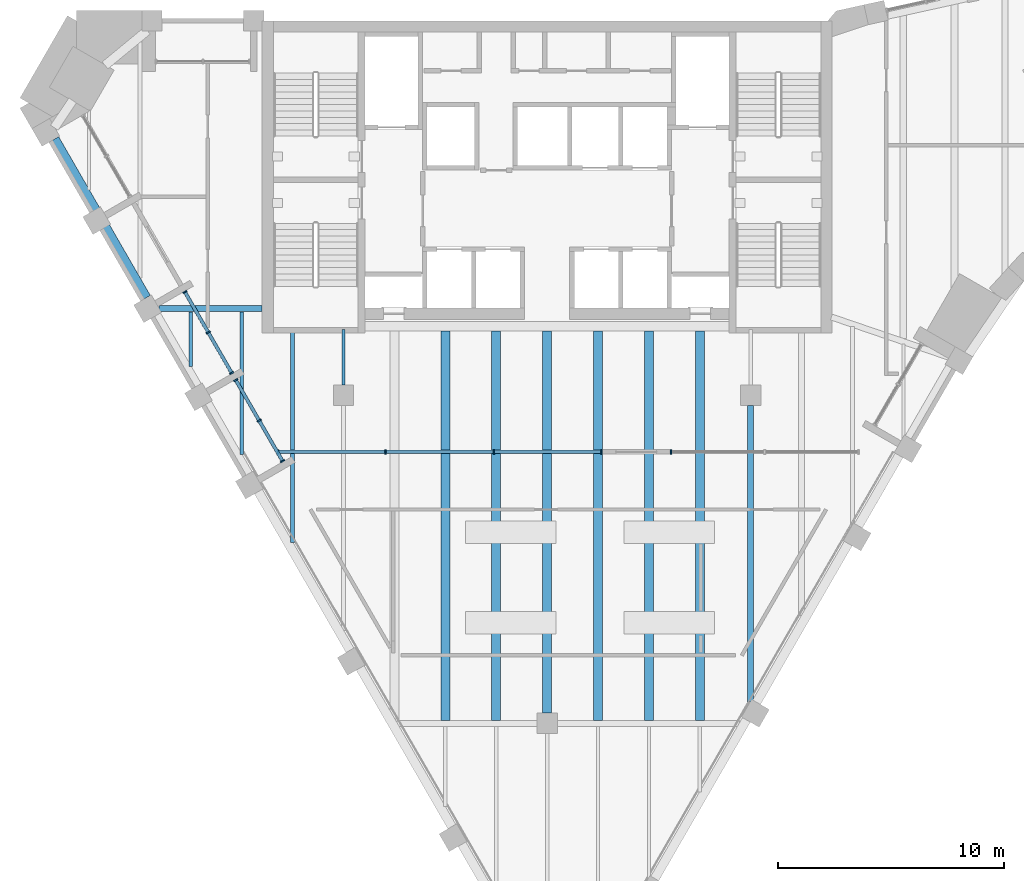
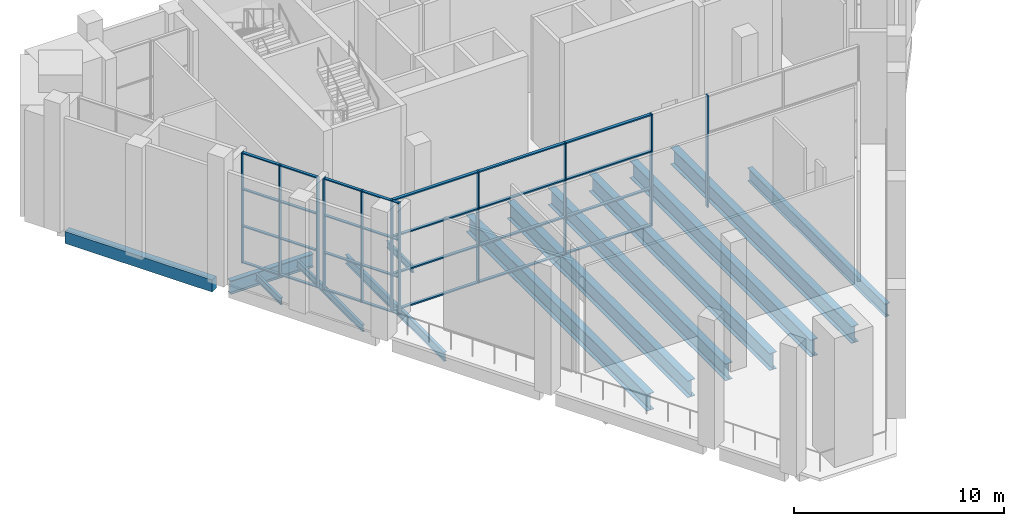
# One storey, part 2 of 14: 39 members, 13 beams, 4 elements without a shape of their own.
"""IFC4 building model written with IfcOpenShell, lengths in metres."""

from ifc_helpers import new_model, si_unit, direction, frame, origin, origin_2d, place, context, subcontext, project, spatial, rectangle, i_section, extrude, material, material_profile, profile_set, type_object, element, aggregate, save


model = new_model("IFC4")

# Units and contexts
model_context = context("Model", 3, precision=1e-05, world=origin(), true_north=direction((0.0, 1.0)))
body_context = subcontext(model_context, "Body", "Model", "MODEL_VIEW")
ifc_project = project(units=[si_unit("LENGTHUNIT", "METRE"), si_unit("AREAUNIT", "SQUARE_METRE"), si_unit("VOLUMEUNIT", "CUBIC_METRE"), si_unit("PLANEANGLEUNIT", "RADIAN"), si_unit("MASSUNIT", "GRAM", prefix="KILO")], contexts=[model_context])

# Site, building, storey
site_placement = place(None, origin())
site = spatial("IfcSite", under=ifc_project, at=site_placement, CompositionType="ELEMENT")
building_placement = place(site_placement, origin())
building = spatial("IfcBuilding", under=site, at=building_placement, Name="Calabash Gate Tower", CompositionType="ELEMENT")
storey_placement = place(building_placement, frame((0.0, 0.0, 295.0)))
storey = spatial("IfcBuildingStorey", under=building, at=storey_placement, Name="L71", CompositionType="ELEMENT", Elevation=295.0)

# Beams
ifc_material_1 = material(Name="Concrete C50/60", Category="concrete")
ifc_material_profile_1 = material_profile(ifc_material_1, rectangle(XDim=0.39990234375, YDim=0.699951171875, at=origin_2d()))
ifc_profile_set_1 = profile_set([ifc_material_profile_1], Name="Concrete C50/60")
beam_type_1 = type_object("IfcBeamType", Name="Edge beam RC 400x700 Concrete C50/60", PredefinedType="BEAM", material=ifc_profile_set_1)
beam_1_placement = place(storey_placement, frame((-21.763916015625, 13.830078125, -0.52001953125), z_axis=(0.500016430238, -0.866015917575, 0.0), x_axis=(0.866015917575, 0.500016430238, 0.0)))
element("IfcBeam", 1, at=beam_1_placement, inside=storey, type_object=beam_type_1, Name="Edge beam L71 18", PredefinedType="BEAM", context=body_context, shape_type="SweptSolid", body=[
    extrude(rectangle(XDim=0.39990234375, YDim=0.699951171875, at=origin_2d()), origin(), (0.0, 0.0, 1.0), 8.099365234375),
])
ifc_material_2 = material(Name="Steel ASTM A992 Gr50", Category="steel")
ifc_material_profile_2 = material_profile(ifc_material_2, i_section(OverallWidth=0.1396484375, OverallDepth=0.398681640625, WebThickness=0.00634765625, FlangeThickness=0.0087890625, FilletRadius=0.01025390625, at=origin_2d()))
ifc_profile_set_2 = profile_set([ifc_material_profile_2], Name="Steel ASTM A992 Gr50")
beam_type_2 = type_object("IfcBeamType", Name="Floor beam W16x26 ASTM A992 Gr50", PredefinedType="BEAM", material=ifc_profile_set_2)
beam_2_placement = place(storey_placement, frame((-15.75, 3.781982421875, -0.368896484375), z_axis=(0.0, 1.0, 0.0), x_axis=(-1.0, 0.0, 0.0)))
element("IfcBeam", 2, at=beam_2_placement, inside=storey, type_object=beam_type_2, Name="Floor beam L71 3", PredefinedType="BEAM", context=body_context, shape_type="SweptSolid", body=[
    extrude(i_section(OverallWidth=0.1396484375, OverallDepth=0.398681640625, WebThickness=0.00634765625, FlangeThickness=0.0087890625, FilletRadius=0.01025390625, at=origin_2d()), origin(), (0.0, 0.0, 1.0), 2.409912109375),
])
beam_3_placement = place(storey_placement, frame((-13.5, -0.113037109375, -0.368896484375), z_axis=(0.0, 1.0, 0.0), x_axis=(-1.0, 0.0, 0.0)))
element("IfcBeam", 3, at=beam_3_placement, inside=storey, type_object=beam_type_2, Name="Floor beam L71 4", PredefinedType="BEAM", context=body_context, shape_type="SweptSolid", body=[
    extrude(i_section(OverallWidth=0.1396484375, OverallDepth=0.398681640625, WebThickness=0.00634765625, FlangeThickness=0.0087890625, FilletRadius=0.01025390625, at=origin_2d()), origin(), (0.0, 0.0, 1.0), 6.304931640625),
])
beam_4_placement = place(storey_placement, frame((-9.0, 2.949951171875, -0.368896484375), z_axis=(0.0, 1.0, 0.0), x_axis=(-1.0, 0.0, 0.0)))
element("IfcBeam", 4, at=beam_4_placement, inside=storey, type_object=beam_type_2, Name="Floor beam L71 7", PredefinedType="BEAM", context=body_context, shape_type="SweptSolid", body=[
    extrude(i_section(OverallWidth=0.1396484375, OverallDepth=0.398681640625, WebThickness=0.00634765625, FlangeThickness=0.0087890625, FilletRadius=0.01025390625, at=origin_2d()), origin(), (0.0, 0.0, 1.0), 2.453125),
])
ifc_material_3 = material(Name="Steel ASTM A992 Gr50", Category="steel")
ifc_material_profile_3 = material_profile(ifc_material_3, i_section(OverallWidth=0.166015625, OverallDepth=0.5283203125, WebThickness=0.009765625, FlangeThickness=0.013671875, FilletRadius=0.0126953125, at=origin_2d()))
ifc_profile_set_3 = profile_set([ifc_material_profile_3], Name="Steel ASTM A992 Gr50")
beam_type_3 = type_object("IfcBeamType", Name="Floor beam W21x50 ASTM A992 Gr50", PredefinedType="BEAM", material=ifc_profile_set_3)
beam_5_placement = place(storey_placement, frame((-11.25, -4.011962890625, -0.43408203125), z_axis=(0.0, 1.0, 0.0), x_axis=(-1.0, 0.0, 0.0)))
element("IfcBeam", 5, at=beam_5_placement, inside=storey, type_object=beam_type_3, Name="Floor beam L71 5", PredefinedType="BEAM", context=body_context, shape_type="SweptSolid", body=[
    extrude(i_section(OverallWidth=0.166015625, OverallDepth=0.5283203125, WebThickness=0.009765625, FlangeThickness=0.013671875, FilletRadius=0.0126953125, at=origin_2d()), origin(), (0.0, 0.0, 1.0), 9.4150390625),
])
ifc_material_4 = material(Name="Steel ASTM A992 Gr50", Category="steel")
ifc_material_profile_4 = material_profile(ifc_material_4, i_section(OverallWidth=0.2666015625, OverallDepth=0.7568359375, WebThickness=0.013916015625, FlangeThickness=0.019287109375, FilletRadius=0.0166015625, at=origin_2d()))
ifc_profile_set_4 = profile_set([ifc_material_profile_4], Name="Steel ASTM A992 Gr50")
beam_type_4 = type_object("IfcBeamType", Name="Floor beam W30x108 ASTM A992 Gr50", PredefinedType="BEAM", material=ifc_profile_set_4)
beam_6_placement = place(storey_placement, frame((9.0, -11.051025390625, -0.548095703125), z_axis=(0.0, 1.0, 0.0), x_axis=(-1.0, 0.0, 0.0)))
element("IfcBeam", 6, at=beam_6_placement, inside=storey, type_object=beam_type_4, Name="Floor beam L71 21", PredefinedType="BEAM", context=body_context, shape_type="SweptSolid", body=[
    extrude(i_section(OverallWidth=0.2666015625, OverallDepth=0.7568359375, WebThickness=0.013916015625, FlangeThickness=0.019287109375, FilletRadius=0.0166015625, at=origin_2d()), origin(), (0.0, 0.0, 1.0), 13.10107421875),
])
ifc_material_5 = material(Name="Steel ASTM A992 Gr50", Category="steel")
ifc_material_profile_5 = material_profile(ifc_material_5, i_section(OverallWidth=0.4013671875, OverallDepth=0.990478515625, WebThickness=0.0166015625, FlangeThickness=0.031005859375, FilletRadius=0.030029296875, at=origin_2d()))
ifc_profile_set_5 = profile_set([ifc_material_profile_5], Name="Steel ASTM A992 Gr50")
beam_type_5 = type_object("IfcBeamType", Name="Floor beam W40x215 ASTM A992 Gr50", PredefinedType="BEAM", material=ifc_profile_set_5)
for number, where, z_axis, x_axis, name in (
    (7, (-4.5, -11.866943359375, -0.6630859375), (0.0, 1.0, 0.0), (-1.0, 0.0, 0.0), "Floor beam L71 10"),
    (8, (-2.25, -11.866943359375, -0.6630859375), (0.0, 1.0, 0.0), (-1.0, 0.0, 0.0), "Floor beam L71 12"),
):
    element("IfcBeam", number, at=place(storey_placement, frame(where, z_axis=z_axis, x_axis=x_axis)), inside=storey, type_object=beam_type_5, Name=name, PredefinedType="BEAM", context=body_context, shape_type="SweptSolid", body=[
        extrude(i_section(OverallWidth=0.4013671875, OverallDepth=0.990478515625, WebThickness=0.0166015625, FlangeThickness=0.031005859375, FilletRadius=0.030029296875, at=origin_2d()), origin(), (0.0, 0.0, 1.0), 17.218994140625),
    ])
beam_7_placement = place(storey_placement, frame((0.0, -11.550048828125, -0.6630859375), z_axis=(0.0, 1.0, 0.0), x_axis=(-1.0, 0.0, 0.0)))
element("IfcBeam", 9, at=beam_7_placement, inside=storey, type_object=beam_type_5, Name="Floor beam L71 14", PredefinedType="BEAM", context=body_context, shape_type="SweptSolid", body=[
    extrude(i_section(OverallWidth=0.4013671875, OverallDepth=0.990478515625, WebThickness=0.0166015625, FlangeThickness=0.031005859375, FilletRadius=0.030029296875, at=origin_2d()), origin(), (0.0, 0.0, 1.0), 16.902099609375),
])
for number, where, z_axis, x_axis, name in (
    (10, (2.25, -11.866943359375, -0.6630859375), (0.0, 1.0, 0.0), (-1.0, 0.0, 0.0), "Floor beam L71 16"),
    (11, (4.5, -11.866943359375, -0.6630859375), (0.0, 1.0, 0.0), (-1.0, 0.0, 0.0), "Floor beam L71 18"),
    (12, (6.75, -11.866943359375, -0.6630859375), (0.0, 1.0, 0.0), (-1.0, 0.0, 0.0), "Floor beam L71 20"),
):
    element("IfcBeam", number, at=place(storey_placement, frame(where, z_axis=z_axis, x_axis=x_axis)), inside=storey, type_object=beam_type_5, Name=name, PredefinedType="BEAM", context=body_context, shape_type="SweptSolid", body=[
        extrude(i_section(OverallWidth=0.4013671875, OverallDepth=0.990478515625, WebThickness=0.0166015625, FlangeThickness=0.031005859375, FilletRadius=0.030029296875, at=origin_2d()), origin(), (0.0, 0.0, 1.0), 17.218994140625),
    ])
ifc_material_6 = material(Name="Steel ASTM A992 Gr50", Category="steel")
ifc_material_profile_6 = material_profile(ifc_material_6, i_section(OverallWidth=0.2666015625, OverallDepth=0.77978515625, WebThickness=0.0166015625, FlangeThickness=0.030029296875, FilletRadius=0.0166015625, at=origin_2d()))
ifc_profile_set_6 = profile_set([ifc_material_profile_6], Name="Steel ASTM A992 Gr50")
beam_type_6 = type_object("IfcBeamType", Name="Girder W30x148 ASTM A992 Gr50", PredefinedType="BEAM", material=ifc_profile_set_6)
beam_8_placement = place(storey_placement, frame((-17.1640625, 6.325927734375, -0.56005859375), z_axis=(1.0, 0.0, 0.0), x_axis=(0.0, 1.0, 0.0)))
element("IfcBeam", 13, at=beam_8_placement, inside=storey, type_object=beam_type_6, Name="Girder L71 2", PredefinedType="BEAM", context=body_context, shape_type="SweptSolid", body=[
    extrude(i_section(OverallWidth=0.2666015625, OverallDepth=0.77978515625, WebThickness=0.0166015625, FlangeThickness=0.030029296875, FilletRadius=0.0166015625, at=origin_2d()), origin(), (0.0, 0.0, 1.0), 4.56396484375),
])

# Curtain wall, members
ifc_material_7 = material(Name="Anodised aluminium frame, bronze finish, clear laminated impact-rated glazing", Category="aluminium")
curtain_wall_type_1 = type_object("IfcCurtainWallType", Name="Curtain wall CWP portal screen", PredefinedType="NOTDEFINED", material=ifc_material_7)
curtain_wall_1_placement = place(storey_placement, origin())
curtain_wall_1 = element("IfcCurtainWall", 14, at=curtain_wall_1_placement, inside=storey, type_object=curtain_wall_type_1, Name="Curtain wall CWP L71 portal screen A", PredefinedType="NOTDEFINED")
ifc_material_8 = material(Name="Anodised aluminium frame, bronze finish", Category="aluminium")
ifc_material_profile_7 = material_profile(ifc_material_8, rectangle(XDim=0.199951171875, YDim=0.074951171875, at=origin_2d()))
ifc_profile_set_7 = profile_set([ifc_material_profile_7], Name="Anodised aluminium frame, bronze finish")
member_type_1 = type_object("IfcMemberType", Name="Mullion CWP 75x200", PredefinedType="MULLION", material=ifc_profile_set_7)
member_1_placement = place(storey_placement, frame((-11.8935546875, 0.0, 0.0), z_axis=(0.0, 0.0, 1.0), x_axis=(0.0, 1.0, 0.0)))
member_1 = element("IfcMember", 15, at=member_1_placement, type_object=member_type_1, Name="CWP mullion 1", PredefinedType="MULLION", context=body_context, shape_type="SweptSolid", body=[
    extrude(rectangle(XDim=0.199951171875, YDim=0.074951171875, at=origin_2d()), origin(), (0.0, 0.0, 1.0), 6.5),
])
member_2_placement = place(storey_placement, frame((-7.14208984375, 0.0, 0.0), z_axis=(0.0, 0.0, 1.0), x_axis=(0.0, 1.0, 0.0)))
member_2 = element("IfcMember", 16, at=member_2_placement, type_object=member_type_1, Name="CWP mullion 2", PredefinedType="MULLION", context=body_context, shape_type="SweptSolid", body=[
    extrude(rectangle(XDim=0.199951171875, YDim=0.074951171875, at=origin_2d()), origin(), (0.0, 0.0, 1.0), 6.5),
])
member_3_placement = place(storey_placement, frame((-2.35302734375, 0.0, 0.0), z_axis=(0.0, 0.0, 1.0), x_axis=(0.0, 1.0, 0.0)))
member_3 = element("IfcMember", 17, at=member_3_placement, type_object=member_type_1, Name="CWP mullion 3", PredefinedType="MULLION", context=body_context, shape_type="SweptSolid", body=[
    extrude(rectangle(XDim=0.199951171875, YDim=0.074951171875, at=origin_2d()), origin(), (0.0, 0.0, 1.0), 6.5),
])
member_4_placement = place(storey_placement, frame((2.3984375, 0.0, 0.0), z_axis=(0.0, 0.0, 1.0), x_axis=(0.0, 1.0, 0.0)))
member_4 = element("IfcMember", 18, at=member_4_placement, type_object=member_type_1, Name="CWP mullion 4", PredefinedType="MULLION", context=body_context, shape_type="SweptSolid", body=[
    extrude(rectangle(XDim=0.199951171875, YDim=0.074951171875, at=origin_2d()), origin(), (0.0, 0.0, 1.0), 6.5),
])

# Curtain wall, member
curtain_wall_2_placement = place(storey_placement, origin())
curtain_wall_2 = element("IfcCurtainWall", 19, at=curtain_wall_2_placement, inside=storey, type_object=curtain_wall_type_1, Name="Curtain wall CWP L71 portal screen B", PredefinedType="NOTDEFINED")
member_5_placement = place(storey_placement, frame((5.473388671875, 0.0, 0.0), z_axis=(0.0, 0.0, 1.0), x_axis=(0.0, 1.0, 0.0)))
member_5 = element("IfcMember", 20, at=member_5_placement, type_object=member_type_1, Name="CWP mullion 1", PredefinedType="MULLION", context=body_context, shape_type="SweptSolid", body=[
    extrude(rectangle(XDim=0.199951171875, YDim=0.074951171875, at=origin_2d()), origin(), (0.0, 0.0, 1.0), 6.5),
])
aggregate(curtain_wall_2, [member_5])

# Curtain wall, members
ifc_material_9 = material(Name="Anodised aluminium frame, bronze finish, clear laminated low-emissivity glazing", Category="aluminium")
curtain_wall_type_2 = type_object("IfcCurtainWallType", Name="Curtain wall CWS sky lobby wall", PredefinedType="NOTDEFINED", material=ifc_material_9)
curtain_wall_3_placement = place(storey_placement, origin())
curtain_wall_3 = element("IfcCurtainWall", 21, at=curtain_wall_3_placement, inside=storey, type_object=curtain_wall_type_2, Name="Curtain wall CWS L71 SW0.3", PredefinedType="NOTDEFINED")
ifc_material_10 = material(Name="Anodised aluminium frame, bronze finish", Category="aluminium")
ifc_material_profile_8 = material_profile(ifc_material_10, rectangle(XDim=0.199951171875, YDim=0.06494140625, at=origin_2d()))
ifc_profile_set_8 = profile_set([ifc_material_profile_8], Name="Anodised aluminium frame, bronze finish")
member_type_2 = type_object("IfcMemberType", Name="Mullion CWS 65x200", PredefinedType="MULLION", material=ifc_profile_set_8)
member_6_placement = place(storey_placement, frame((-16.01171875, 7.06787109375, 0.0), z_axis=(0.0, 0.0, 1.0), x_axis=(0.866025421884, 0.499999968652, 0.0)))
member_6 = element("IfcMember", 22, at=member_6_placement, type_object=member_type_2, Name="CWS mullion 1", PredefinedType="MULLION", context=body_context, shape_type="SweptSolid", body=[
    extrude(rectangle(XDim=0.199951171875, YDim=0.06494140625, at=origin_2d()), origin(), (0.0, 0.0, 1.0), 6.420166015625),
])
member_7_placement = place(storey_placement, frame((-14.97802734375, 5.27734375, 0.0), z_axis=(0.0, 0.0, 1.0), x_axis=(0.866025421884, 0.499999968652, 0.0)))
member_7 = element("IfcMember", 23, at=member_7_placement, type_object=member_type_2, Name="CWS mullion 2", PredefinedType="MULLION", context=body_context, shape_type="SweptSolid", body=[
    extrude(rectangle(XDim=0.199951171875, YDim=0.06494140625, at=origin_2d()), origin(), (0.0, 0.0, 1.0), 6.420166015625),
])
member_8_placement = place(storey_placement, frame((-13.9443359375, 3.48681640625, 0.0), z_axis=(0.0, 0.0, 1.0), x_axis=(0.866025421884, 0.499999968652, 0.0)))
member_8 = element("IfcMember", 24, at=member_8_placement, type_object=member_type_2, Name="CWS mullion 3", PredefinedType="MULLION", context=body_context, shape_type="SweptSolid", body=[
    extrude(rectangle(XDim=0.199951171875, YDim=0.06494140625, at=origin_2d()), origin(), (0.0, 0.0, 1.0), 6.420166015625),
])

curtain_wall_4_placement = place(storey_placement, origin())
curtain_wall_4 = element("IfcCurtainWall", 25, at=curtain_wall_4_placement, inside=storey, type_object=curtain_wall_type_2, Name="Curtain wall CWS L71 SW0.4", PredefinedType="NOTDEFINED")
member_9_placement = place(storey_placement, frame((-13.76171875, 3.170654296875, 0.0), z_axis=(0.0, 0.0, 1.0), x_axis=(0.866025362359, 0.500000071751, 0.0)))
member_9 = element("IfcMember", 26, at=member_9_placement, type_object=member_type_2, Name="CWS mullion 1", PredefinedType="MULLION", context=body_context, shape_type="SweptSolid", body=[
    extrude(rectangle(XDim=0.199951171875, YDim=0.06494140625, at=origin_2d()), origin(), (0.0, 0.0, 1.0), 6.5),
])
member_10_placement = place(storey_placement, frame((-12.72802734375, 1.380126953125, 0.0), z_axis=(0.0, 0.0, 1.0), x_axis=(0.866025362359, 0.500000071751, 0.0)))
member_10 = element("IfcMember", 27, at=member_10_placement, type_object=member_type_2, Name="CWS mullion 2", PredefinedType="MULLION", context=body_context, shape_type="SweptSolid", body=[
    extrude(rectangle(XDim=0.199951171875, YDim=0.06494140625, at=origin_2d()), origin(), (0.0, 0.0, 1.0), 6.5),
])
member_11_placement = place(storey_placement, frame((-11.6943359375, -0.410400390625, 0.0), z_axis=(0.0, 0.0, 1.0), x_axis=(0.866025362359, 0.500000071751, 0.0)))
member_11 = element("IfcMember", 28, at=member_11_placement, type_object=member_type_2, Name="CWS mullion 3", PredefinedType="MULLION", context=body_context, shape_type="SweptSolid", body=[
    extrude(rectangle(XDim=0.199951171875, YDim=0.06494140625, at=origin_2d()), origin(), (0.0, 0.0, 1.0), 6.5),
])

# Member
ifc_material_11 = material(Name="Anodised aluminium frame, bronze finish", Category="aluminium")
ifc_material_profile_9 = material_profile(ifc_material_11, rectangle(XDim=0.159912109375, YDim=0.074951171875, at=origin_2d()))
ifc_profile_set_9 = profile_set([ifc_material_profile_9], Name="Anodised aluminium frame, bronze finish")
member_type_3 = type_object("IfcMemberType", Name="Transom CWP 75x160", PredefinedType="USERDEFINED", material=ifc_profile_set_9)
member_12_placement = place(storey_placement, frame((-11.856201171875, 0.0, 0.03759765625), z_axis=(1.0, 0.0, 0.0), x_axis=(0.0, 1.0, 0.0)))
member_12 = element("IfcMember", 29, at=member_12_placement, type_object=member_type_3, Name="CWP transom 1.1", ObjectType="TRANSOM", PredefinedType="USERDEFINED", context=body_context, shape_type="SweptSolid", body=[
    extrude(rectangle(XDim=0.159912109375, YDim=0.074951171875, at=origin_2d()), origin(), (0.0, 0.0, 1.0), 4.676513671875),
])

member_13_placement = place(storey_placement, frame((-11.856201171875, 0.0, 2.166748046875), z_axis=(1.0, 0.0, 0.0), x_axis=(0.0, 1.0, 0.0)))
member_13 = element("IfcMember", 30, at=member_13_placement, type_object=member_type_3, Name="CWP transom 1.2", ObjectType="TRANSOM", PredefinedType="USERDEFINED", context=body_context, shape_type="SweptSolid", body=[
    extrude(rectangle(XDim=0.159912109375, YDim=0.074951171875, at=origin_2d()), origin(), (0.0, 0.0, 1.0), 4.676513671875),
])

member_14_placement = place(storey_placement, frame((-11.856201171875, 0.0, 4.333251953125), z_axis=(1.0, 0.0, 0.0), x_axis=(0.0, 1.0, 0.0)))
member_14 = element("IfcMember", 31, at=member_14_placement, type_object=member_type_3, Name="CWP transom 1.3", ObjectType="TRANSOM", PredefinedType="USERDEFINED", context=body_context, shape_type="SweptSolid", body=[
    extrude(rectangle(XDim=0.159912109375, YDim=0.074951171875, at=origin_2d()), origin(), (0.0, 0.0, 1.0), 4.676513671875),
])

member_15_placement = place(storey_placement, frame((-11.856201171875, 0.0, 6.46240234375), z_axis=(1.0, 0.0, 0.0), x_axis=(0.0, 1.0, 0.0)))
member_15 = element("IfcMember", 32, at=member_15_placement, type_object=member_type_3, Name="CWP transom 1.4", ObjectType="TRANSOM", PredefinedType="USERDEFINED", context=body_context, shape_type="SweptSolid", body=[
    extrude(rectangle(XDim=0.159912109375, YDim=0.074951171875, at=origin_2d()), origin(), (0.0, 0.0, 1.0), 4.676513671875),
])

member_16_placement = place(storey_placement, frame((-7.104736328125, 0.0, 0.03759765625), z_axis=(1.0, 0.0, 0.0), x_axis=(0.0, 1.0, 0.0)))
member_16 = element("IfcMember", 33, at=member_16_placement, type_object=member_type_3, Name="CWP transom 2.1", ObjectType="TRANSOM", PredefinedType="USERDEFINED", context=body_context, shape_type="SweptSolid", body=[
    extrude(rectangle(XDim=0.159912109375, YDim=0.074951171875, at=origin_2d()), origin(), (0.0, 0.0, 1.0), 4.714111328125),
])

member_17_placement = place(storey_placement, frame((-7.104736328125, 0.0, 2.166748046875), z_axis=(1.0, 0.0, 0.0), x_axis=(0.0, 1.0, 0.0)))
member_17 = element("IfcMember", 34, at=member_17_placement, type_object=member_type_3, Name="CWP transom 2.2", ObjectType="TRANSOM", PredefinedType="USERDEFINED", context=body_context, shape_type="SweptSolid", body=[
    extrude(rectangle(XDim=0.159912109375, YDim=0.074951171875, at=origin_2d()), origin(), (0.0, 0.0, 1.0), 4.714111328125),
])

member_18_placement = place(storey_placement, frame((-7.104736328125, 0.0, 4.333251953125), z_axis=(1.0, 0.0, 0.0), x_axis=(0.0, 1.0, 0.0)))
member_18 = element("IfcMember", 35, at=member_18_placement, type_object=member_type_3, Name="CWP transom 2.3", ObjectType="TRANSOM", PredefinedType="USERDEFINED", context=body_context, shape_type="SweptSolid", body=[
    extrude(rectangle(XDim=0.159912109375, YDim=0.074951171875, at=origin_2d()), origin(), (0.0, 0.0, 1.0), 4.714111328125),
])

member_19_placement = place(storey_placement, frame((-7.104736328125, 0.0, 6.46240234375), z_axis=(1.0, 0.0, 0.0), x_axis=(0.0, 1.0, 0.0)))
member_19 = element("IfcMember", 36, at=member_19_placement, type_object=member_type_3, Name="CWP transom 2.4", ObjectType="TRANSOM", PredefinedType="USERDEFINED", context=body_context, shape_type="SweptSolid", body=[
    extrude(rectangle(XDim=0.159912109375, YDim=0.074951171875, at=origin_2d()), origin(), (0.0, 0.0, 1.0), 4.714111328125),
])

member_20_placement = place(storey_placement, frame((-2.315673828125, 0.0, 0.03759765625), z_axis=(1.0, 0.0, 0.0), x_axis=(0.0, 1.0, 0.0)))
member_20 = element("IfcMember", 37, at=member_20_placement, type_object=member_type_3, Name="CWP transom 3.1", ObjectType="TRANSOM", PredefinedType="USERDEFINED", context=body_context, shape_type="SweptSolid", body=[
    extrude(rectangle(XDim=0.159912109375, YDim=0.074951171875, at=origin_2d()), origin(), (0.0, 0.0, 1.0), 4.676513671875),
])

member_21_placement = place(storey_placement, frame((-2.315673828125, 0.0, 2.166748046875), z_axis=(1.0, 0.0, 0.0), x_axis=(0.0, 1.0, 0.0)))
member_21 = element("IfcMember", 38, at=member_21_placement, type_object=member_type_3, Name="CWP transom 3.2", ObjectType="TRANSOM", PredefinedType="USERDEFINED", context=body_context, shape_type="SweptSolid", body=[
    extrude(rectangle(XDim=0.159912109375, YDim=0.074951171875, at=origin_2d()), origin(), (0.0, 0.0, 1.0), 4.676513671875),
])

member_22_placement = place(storey_placement, frame((-2.315673828125, 0.0, 4.333251953125), z_axis=(1.0, 0.0, 0.0), x_axis=(0.0, 1.0, 0.0)))
member_22 = element("IfcMember", 39, at=member_22_placement, type_object=member_type_3, Name="CWP transom 3.3", ObjectType="TRANSOM", PredefinedType="USERDEFINED", context=body_context, shape_type="SweptSolid", body=[
    extrude(rectangle(XDim=0.159912109375, YDim=0.074951171875, at=origin_2d()), origin(), (0.0, 0.0, 1.0), 4.676513671875),
])

member_23_placement = place(storey_placement, frame((-2.315673828125, 0.0, 6.46240234375), z_axis=(1.0, 0.0, 0.0), x_axis=(0.0, 1.0, 0.0)))
member_23 = element("IfcMember", 40, at=member_23_placement, type_object=member_type_3, Name="CWP transom 3.4", ObjectType="TRANSOM", PredefinedType="USERDEFINED", context=body_context, shape_type="SweptSolid", body=[
    extrude(rectangle(XDim=0.159912109375, YDim=0.074951171875, at=origin_2d()), origin(), (0.0, 0.0, 1.0), 4.676513671875),
])

aggregate(curtain_wall_1, [member_1, member_2, member_3, member_4, member_12, member_13, member_14, member_15, member_16, member_17, member_18, member_19, member_20, member_21, member_22, member_23])

ifc_material_12 = material(Name="Anodised aluminium frame, bronze finish", Category="aluminium")
ifc_material_profile_10 = material_profile(ifc_material_12, rectangle(XDim=0.14990234375, YDim=0.06494140625, at=origin_2d()))
ifc_profile_set_10 = profile_set([ifc_material_profile_10], Name="Anodised aluminium frame, bronze finish")
member_type_4 = type_object("IfcMemberType", Name="Transom CWS 65x150", PredefinedType="USERDEFINED", material=ifc_profile_set_10)
member_24_placement = place(storey_placement, frame((-15.99560546875, 7.03955078125, 0.032470703125), z_axis=(0.500007410291, -0.866021125408, 0.0), x_axis=(0.866021125408, 0.500007410291, 0.0)))
member_24 = element("IfcMember", 41, at=member_24_placement, type_object=member_type_4, Name="CWS transom 1.1", ObjectType="TRANSOM", PredefinedType="USERDEFINED", context=body_context, shape_type="SweptSolid", body=[
    extrude(rectangle(XDim=0.14990234375, YDim=0.06494140625, at=origin_2d()), origin(), (0.0, 0.0, 1.0), 2.00244140625),
])

member_25_placement = place(storey_placement, frame((-15.99560546875, 7.03955078125, 2.14013671875), z_axis=(0.500007410291, -0.866021125408, 0.0), x_axis=(0.866021125408, 0.500007410291, 0.0)))
member_25 = element("IfcMember", 42, at=member_25_placement, type_object=member_type_4, Name="CWS transom 1.2", ObjectType="TRANSOM", PredefinedType="USERDEFINED", context=body_context, shape_type="SweptSolid", body=[
    extrude(rectangle(XDim=0.14990234375, YDim=0.06494140625, at=origin_2d()), origin(), (0.0, 0.0, 1.0), 2.00244140625),
])

member_26_placement = place(storey_placement, frame((-15.99560546875, 7.03955078125, 4.280029296875), z_axis=(0.500007410291, -0.866021125408, 0.0), x_axis=(0.866021125408, 0.500007410291, 0.0)))
member_26 = element("IfcMember", 43, at=member_26_placement, type_object=member_type_4, Name="CWS transom 1.3", ObjectType="TRANSOM", PredefinedType="USERDEFINED", context=body_context, shape_type="SweptSolid", body=[
    extrude(rectangle(XDim=0.14990234375, YDim=0.06494140625, at=origin_2d()), origin(), (0.0, 0.0, 1.0), 2.00244140625),
])

member_27_placement = place(storey_placement, frame((-15.99560546875, 7.03955078125, 6.3876953125), z_axis=(0.500007410291, -0.866021125408, 0.0), x_axis=(0.866021125408, 0.500007410291, 0.0)))
member_27 = element("IfcMember", 44, at=member_27_placement, type_object=member_type_4, Name="CWS transom 1.4", ObjectType="TRANSOM", PredefinedType="USERDEFINED", context=body_context, shape_type="SweptSolid", body=[
    extrude(rectangle(XDim=0.14990234375, YDim=0.06494140625, at=origin_2d()), origin(), (0.0, 0.0, 1.0), 2.00244140625),
])

member_28_placement = place(storey_placement, frame((-14.961669921875, 5.2490234375, 0.032470703125), z_axis=(0.500007410291, -0.866021125408, 0.0), x_axis=(0.866021125408, 0.500007410291, 0.0)))
member_28 = element("IfcMember", 45, at=member_28_placement, type_object=member_type_4, Name="CWS transom 2.1", ObjectType="TRANSOM", PredefinedType="USERDEFINED", context=body_context, shape_type="SweptSolid", body=[
    extrude(rectangle(XDim=0.14990234375, YDim=0.06494140625, at=origin_2d()), origin(), (0.0, 0.0, 1.0), 2.00244140625),
])

member_29_placement = place(storey_placement, frame((-14.961669921875, 5.2490234375, 2.14013671875), z_axis=(0.500007410291, -0.866021125408, 0.0), x_axis=(0.866021125408, 0.500007410291, 0.0)))
member_29 = element("IfcMember", 46, at=member_29_placement, type_object=member_type_4, Name="CWS transom 2.2", ObjectType="TRANSOM", PredefinedType="USERDEFINED", context=body_context, shape_type="SweptSolid", body=[
    extrude(rectangle(XDim=0.14990234375, YDim=0.06494140625, at=origin_2d()), origin(), (0.0, 0.0, 1.0), 2.00244140625),
])

member_30_placement = place(storey_placement, frame((-14.961669921875, 5.2490234375, 4.280029296875), z_axis=(0.500007410291, -0.866021125408, 0.0), x_axis=(0.866021125408, 0.500007410291, 0.0)))
member_30 = element("IfcMember", 47, at=member_30_placement, type_object=member_type_4, Name="CWS transom 2.3", ObjectType="TRANSOM", PredefinedType="USERDEFINED", context=body_context, shape_type="SweptSolid", body=[
    extrude(rectangle(XDim=0.14990234375, YDim=0.06494140625, at=origin_2d()), origin(), (0.0, 0.0, 1.0), 2.00244140625),
])

member_31_placement = place(storey_placement, frame((-14.961669921875, 5.2490234375, 6.3876953125), z_axis=(0.500007410291, -0.866021125408, 0.0), x_axis=(0.866021125408, 0.500007410291, 0.0)))
member_31 = element("IfcMember", 48, at=member_31_placement, type_object=member_type_4, Name="CWS transom 2.4", ObjectType="TRANSOM", PredefinedType="USERDEFINED", context=body_context, shape_type="SweptSolid", body=[
    extrude(rectangle(XDim=0.14990234375, YDim=0.06494140625, at=origin_2d()), origin(), (0.0, 0.0, 1.0), 2.00244140625),
])

aggregate(curtain_wall_3, [member_6, member_7, member_8, member_24, member_25, member_26, member_27, member_28, member_29, member_30, member_31])

member_32_placement = place(storey_placement, frame((-13.74560546875, 3.142578125, 0.032470703125), z_axis=(0.499954620082, -0.866051602307, 0.0), x_axis=(0.866051602307, 0.499954620082, 0.0)))
member_32 = element("IfcMember", 49, at=member_32_placement, type_object=member_type_4, Name="CWS transom 1.1", ObjectType="TRANSOM", PredefinedType="USERDEFINED", context=body_context, shape_type="SweptSolid", body=[
    extrude(rectangle(XDim=0.14990234375, YDim=0.06494140625, at=origin_2d()), origin(), (0.0, 0.0, 1.0), 2.002685546875),
])

member_33_placement = place(storey_placement, frame((-13.74560546875, 3.142578125, 2.166748046875), z_axis=(0.499954620082, -0.866051602307, 0.0), x_axis=(0.866051602307, 0.499954620082, 0.0)))
member_33 = element("IfcMember", 50, at=member_33_placement, type_object=member_type_4, Name="CWS transom 1.2", ObjectType="TRANSOM", PredefinedType="USERDEFINED", context=body_context, shape_type="SweptSolid", body=[
    extrude(rectangle(XDim=0.14990234375, YDim=0.06494140625, at=origin_2d()), origin(), (0.0, 0.0, 1.0), 2.002685546875),
])

member_34_placement = place(storey_placement, frame((-13.74560546875, 3.142578125, 4.333251953125), z_axis=(0.499954620082, -0.866051602307, 0.0), x_axis=(0.866051602307, 0.499954620082, 0.0)))
member_34 = element("IfcMember", 51, at=member_34_placement, type_object=member_type_4, Name="CWS transom 1.3", ObjectType="TRANSOM", PredefinedType="USERDEFINED", context=body_context, shape_type="SweptSolid", body=[
    extrude(rectangle(XDim=0.14990234375, YDim=0.06494140625, at=origin_2d()), origin(), (0.0, 0.0, 1.0), 2.002685546875),
])

member_35_placement = place(storey_placement, frame((-13.74560546875, 3.142578125, 6.467529296875), z_axis=(0.499954620082, -0.866051602307, 0.0), x_axis=(0.866051602307, 0.499954620082, 0.0)))
member_35 = element("IfcMember", 52, at=member_35_placement, type_object=member_type_4, Name="CWS transom 1.4", ObjectType="TRANSOM", PredefinedType="USERDEFINED", context=body_context, shape_type="SweptSolid", body=[
    extrude(rectangle(XDim=0.14990234375, YDim=0.06494140625, at=origin_2d()), origin(), (0.0, 0.0, 1.0), 2.002685546875),
])

member_36_placement = place(storey_placement, frame((-12.711669921875, 1.35205078125, 0.032470703125), z_axis=(0.500007410291, -0.866021125408, 0.0), x_axis=(0.866021125408, 0.500007410291, 0.0)))
member_36 = element("IfcMember", 53, at=member_36_placement, type_object=member_type_4, Name="CWS transom 2.1", ObjectType="TRANSOM", PredefinedType="USERDEFINED", context=body_context, shape_type="SweptSolid", body=[
    extrude(rectangle(XDim=0.14990234375, YDim=0.06494140625, at=origin_2d()), origin(), (0.0, 0.0, 1.0), 2.00244140625),
])

member_37_placement = place(storey_placement, frame((-12.711669921875, 1.35205078125, 2.166748046875), z_axis=(0.500007410291, -0.866021125408, 0.0), x_axis=(0.866021125408, 0.500007410291, 0.0)))
member_37 = element("IfcMember", 54, at=member_37_placement, type_object=member_type_4, Name="CWS transom 2.2", ObjectType="TRANSOM", PredefinedType="USERDEFINED", context=body_context, shape_type="SweptSolid", body=[
    extrude(rectangle(XDim=0.14990234375, YDim=0.06494140625, at=origin_2d()), origin(), (0.0, 0.0, 1.0), 2.00244140625),
])

member_38_placement = place(storey_placement, frame((-12.711669921875, 1.35205078125, 4.333251953125), z_axis=(0.500007410291, -0.866021125408, 0.0), x_axis=(0.866021125408, 0.500007410291, 0.0)))
member_38 = element("IfcMember", 55, at=member_38_placement, type_object=member_type_4, Name="CWS transom 2.3", ObjectType="TRANSOM", PredefinedType="USERDEFINED", context=body_context, shape_type="SweptSolid", body=[
    extrude(rectangle(XDim=0.14990234375, YDim=0.06494140625, at=origin_2d()), origin(), (0.0, 0.0, 1.0), 2.00244140625),
])

member_39_placement = place(storey_placement, frame((-12.711669921875, 1.35205078125, 6.467529296875), z_axis=(0.500007410291, -0.866021125408, 0.0), x_axis=(0.866021125408, 0.500007410291, 0.0)))
member_39 = element("IfcMember", 56, at=member_39_placement, type_object=member_type_4, Name="CWS transom 2.4", ObjectType="TRANSOM", PredefinedType="USERDEFINED", context=body_context, shape_type="SweptSolid", body=[
    extrude(rectangle(XDim=0.14990234375, YDim=0.06494140625, at=origin_2d()), origin(), (0.0, 0.0, 1.0), 2.00244140625),
])

aggregate(curtain_wall_4, [member_9, member_10, member_11, member_32, member_33, member_34, member_35, member_36, member_37, member_38, member_39])

save(model, "model.ifc")
